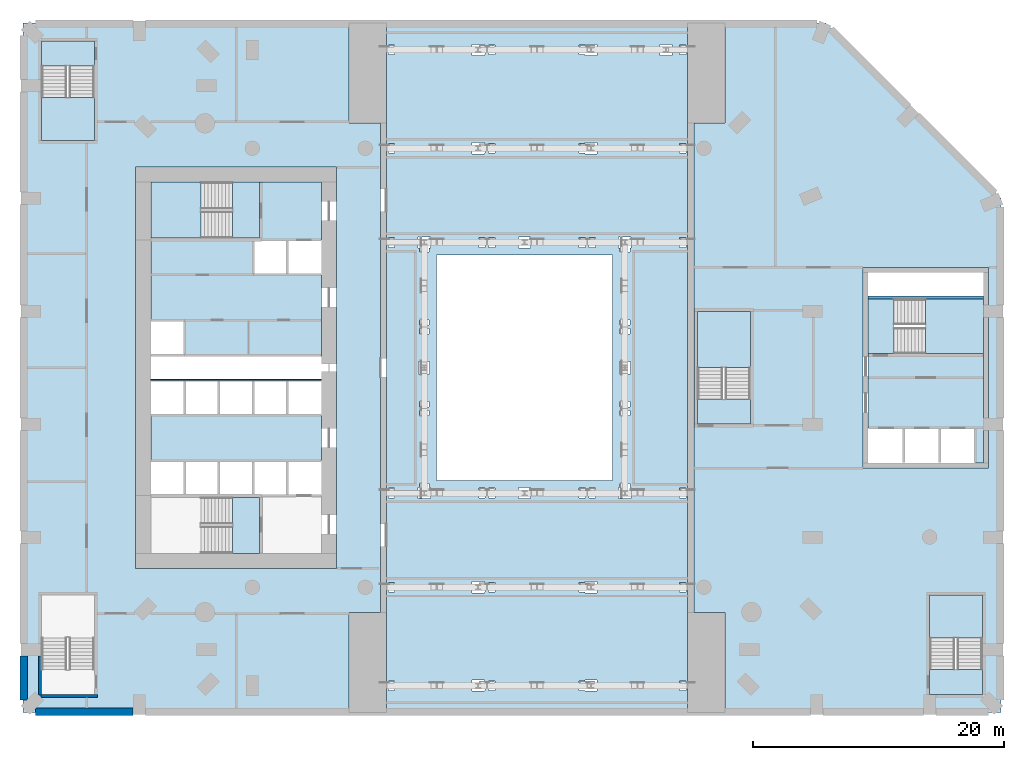
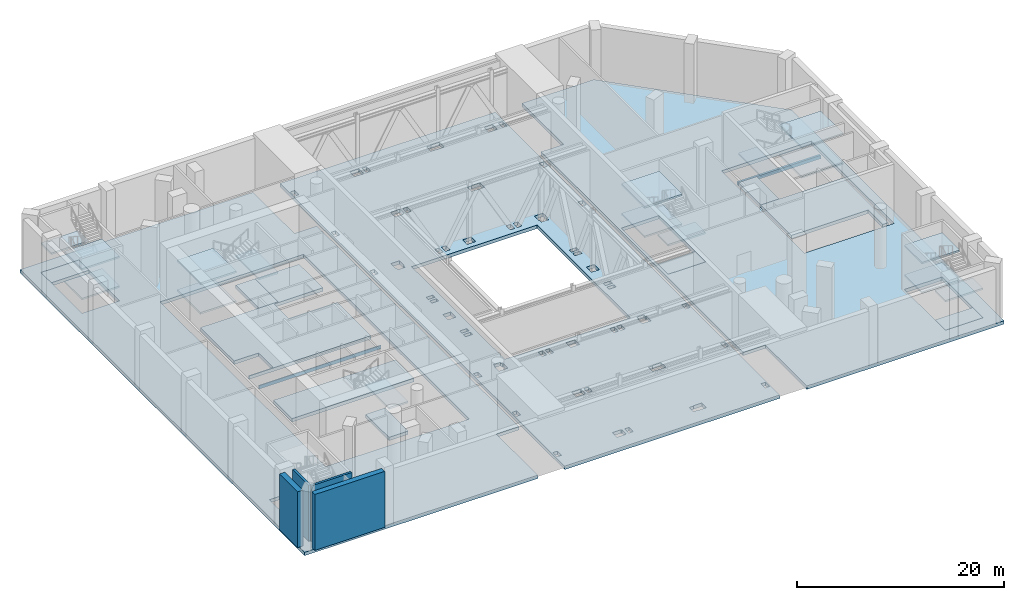
# One storey, part 3 of 21: 30 slabs, 4 walls, 6 elements without a shape of their own.
"""IFC4 building model written with IfcOpenShell, lengths in metres."""

from ifc_helpers import new_model, si_unit, direction, frame, frame_2d, origin, place, context, subcontext, project, spatial, polyline, rectangle, outline, extrude, material, layer, layer_set, type_object, element, aggregate, save


model = new_model("IFC4")

# Units and contexts
model_context = context("Model", 3, precision=1e-05, world=origin(), true_north=direction((0.0, 1.0)))
body_context = subcontext(model_context, "Body", "Model", "MODEL_VIEW")
ifc_project = project(units=[si_unit("LENGTHUNIT", "METRE"), si_unit("AREAUNIT", "SQUARE_METRE"), si_unit("VOLUMEUNIT", "CUBIC_METRE"), si_unit("PLANEANGLEUNIT", "RADIAN"), si_unit("MASSUNIT", "GRAM", prefix="KILO")], contexts=[model_context])

# Site, building, storey
site_placement = place(None, origin())
site = spatial("IfcSite", under=ifc_project, at=site_placement, CompositionType="ELEMENT")
building_placement = place(site_placement, origin())
building = spatial("IfcBuilding", under=site, at=building_placement, Name="Cypress Arch Tower", CompositionType="ELEMENT")
storey_placement = place(building_placement, frame((0.0, 0.0, 29.0)))
storey = spatial("IfcBuildingStorey", under=building, at=storey_placement, Name="L03", CompositionType="ELEMENT", Elevation=29.0)

# Slabs
ifc_material_1 = material(Name="Concrete C40/50", Category="concrete")
ifc_layer_1 = layer(ifc_material_1, 0.39990234375)
ifc_layer_set_1 = layer_set([ifc_layer_1], Name="Core floor CF400")
slab_type_1 = type_object("IfcSlabType", Name="Core floor CF400", PredefinedType="FLOOR", material=ifc_layer_set_1)
slab_1_placement = place(storey_placement, frame((0.0, 0.0, -0.39990234375)))
element("IfcSlab", 1, at=slab_1_placement, inside=storey, type_object=slab_type_1, Name="Stair floor landing", PredefinedType="FLOOR", context=body_context, shape_type="SweptSolid", body=[
    extrude(outline(polyline([(19.0, -4.5), (19.0, -2.5), (14.800048828125, -2.5), (14.800048828125, -4.5), (19.0, -4.5)])), origin(), (0.0, 0.0, 1.0), 0.39990234375),
])
slab_2_placement = place(storey_placement, frame((0.0, 0.0, -0.39990234375)))
element("IfcSlab", 2, at=slab_2_placement, inside=storey, type_object=slab_type_1, Name="Stair floor landing", PredefinedType="FLOOR", context=body_context, shape_type="SweptSolid", body=[
    extrude(outline(polyline([(-37.5, 26.050048828125), (-37.5, 24.050048828125), (-33.300048828125, 24.050048828125), (-33.300048828125, 26.050048828125), (-37.5, 26.050048828125)])), origin(), (0.0, 0.0, 1.0), 0.39990234375),
])
slab_3_placement = place(storey_placement, frame((0.0, 0.0, -0.39990234375)))
element("IfcSlab", 3, at=slab_3_placement, inside=storey, type_object=slab_type_1, Name="Stair floor landing", PredefinedType="FLOOR", context=body_context, shape_type="SweptSolid", body=[
    extrude(outline(polyline([(37.5, -26.050048828125), (37.5, -24.050048828125), (33.300048828125, -24.050048828125), (33.300048828125, -26.050048828125), (37.5, -26.050048828125)])), origin(), (0.0, 0.0, 1.0), 0.39990234375),
])
ifc_material_2 = material(Name="Concrete C40/50", Category="concrete")
ifc_layer_2 = layer(ifc_material_2, 0.402099609375)
ifc_layer_set_2 = layer_set([ifc_layer_2], Name="Core floor CF402")
slab_type_2 = type_object("IfcSlabType", Name="Core floor CF402", PredefinedType="FLOOR", material=ifc_layer_set_2)
slab_4_placement = place(storey_placement, frame((0.0, 0.0, -0.402099609375)))
element("IfcSlab", 4, at=slab_4_placement, inside=storey, type_object=slab_type_2, Name="Core floor", PredefinedType="FLOOR", context=body_context, shape_type="SweptSolid", body=[
    extrude(outline(polyline([(-28.800048828125, -3.800048828125), (-28.800048828125, -7.39990234375), (-26.080078125, -7.39990234375), (-23.360107421875, -7.39990234375), (-20.639892578125, -7.39990234375), (-17.919921875, -7.39990234375), (-15.199951171875, -7.39990234375), (-15.199951171875, -3.800048828125), (-17.919921875, -3.800048828125), (-20.639892578125, -3.800048828125), (-23.360107421875, -3.800048828125), (-26.080078125, -3.800048828125), (-28.800048828125, -3.800048828125)])), origin(), (0.0, 0.0, 1.0), 0.402099609375),
])
slab_5_placement = place(storey_placement, frame((0.0, 0.0, -0.402099609375)))
element("IfcSlab", 5, at=slab_5_placement, inside=storey, type_object=slab_type_2, Name="Core floor", PredefinedType="FLOOR", context=body_context, shape_type="SweptSolid", body=[
    extrude(outline(polyline([(-28.800048828125, 3.800048828125), (-28.800048828125, 10.199951171875), (-28.800048828125, 10.324951171875), (-28.39990234375, 10.324951171875), (-22.27490234375, 10.324951171875), (-20.125, 10.324951171875), (-20.125, 14.800048828125), (-15.60009765625, 14.800048828125), (-15.199951171875, 14.800048828125), (-15.199951171875, 10.199951171875), (-15.60009765625, 10.199951171875), (-17.919921875, 10.199951171875), (-20.639892578125, 10.199951171875), (-20.639892578125, 7.39990234375), (-17.919921875, 7.39990234375), (-15.60009765625, 7.39990234375), (-15.199951171875, 7.39990234375), (-15.199951171875, 0.89990234375), (-15.60009765625, 0.89990234375), (-28.39990234375, 0.89990234375), (-28.800048828125, 0.89990234375), (-28.800048828125, 1.0), (-28.39990234375, 1.0), (-26.080078125, 1.0), (-26.080078125, 3.800048828125), (-28.39990234375, 3.800048828125), (-28.800048828125, 3.800048828125)])), origin(), (0.0, 0.0, 1.0), 0.402099609375),
])
slab_6_placement = place(storey_placement, frame((0.0, 0.0, -0.402099609375)))
element("IfcSlab", 6, at=slab_6_placement, inside=storey, type_object=slab_type_2, Name="Core floor", PredefinedType="FLOOR", context=body_context, shape_type="SweptSolid", body=[
    extrude(outline(polyline([(-22.27490234375, -10.324951171875), (-22.27490234375, -14.800048828125), (-20.125, -14.800048828125), (-20.125, -10.324951171875), (-22.27490234375, -10.324951171875)])), origin(), (0.0, 0.0, 1.0), 0.402099609375),
])
slab_7_placement = place(storey_placement, frame((0.0, 0.0, -0.402099609375)))
element("IfcSlab", 7, at=slab_7_placement, inside=storey, type_object=slab_type_2, Name="Core floor", PredefinedType="FLOOR", context=body_context, shape_type="SweptSolid", body=[
    extrude(outline(polyline([(-20.125, 14.800048828125), (-22.27490234375, 14.800048828125), (-22.27490234375, 10.324951171875), (-20.125, 10.324951171875), (-20.125, 14.800048828125)])), origin(), (0.0, 0.0, 1.0), 0.402099609375),
])
slab_8_placement = place(storey_placement, frame((0.0, 0.0, -0.402099609375)))
element("IfcSlab", 8, at=slab_8_placement, inside=storey, type_object=slab_type_2, Name="East core floor", PredefinedType="FLOOR", context=body_context, shape_type="SweptSolid", body=[
    extrude(outline(polyline([(37.60009765625, -7.60009765625), (37.60009765625, 1.125), (30.449951171875, 1.125), (28.39990234375, 1.125), (28.39990234375, -4.800048828125), (31.25, -4.800048828125), (34.10009765625, -4.800048828125), (36.949951171875, -4.800048828125), (36.949951171875, -7.60009765625), (37.60009765625, -7.60009765625)])), origin(), (0.0, 0.0, 1.0), 0.402099609375),
])
slab_9_placement = place(storey_placement, frame((0.0, 0.0, -0.402099609375)))
element("IfcSlab", 9, at=slab_9_placement, inside=storey, type_object=slab_type_2, Name="East core floor", PredefinedType="FLOOR", context=body_context, shape_type="SweptSolid", body=[
    extrude(outline(polyline([(30.449951171875, 5.47509765625), (28.800048828125, 5.47509765625), (28.39990234375, 5.47509765625), (28.39990234375, 5.72509765625), (28.800048828125, 5.72509765625), (37.199951171875, 5.72509765625), (37.60009765625, 5.72509765625), (37.60009765625, 5.47509765625), (37.199951171875, 5.47509765625), (30.449951171875, 5.47509765625)])), origin(), (0.0, 0.0, 1.0), 0.402099609375),
])
slab_10_placement = place(storey_placement, frame((0.0, 0.0, -0.402099609375)))
element("IfcSlab", 10, at=slab_10_placement, inside=storey, type_object=slab_type_2, Name="East core floor", PredefinedType="FLOOR", context=body_context, shape_type="SweptSolid", body=[
    extrude(outline(polyline([(30.449951171875, 5.47509765625), (28.39990234375, 5.47509765625), (28.39990234375, 1.125), (30.449951171875, 1.125), (30.449951171875, 5.47509765625)])), origin(), (0.0, 0.0, 1.0), 0.402099609375),
])
slab_11_placement = place(storey_placement, frame((0.0, 0.0, -0.402099609375)))
element("IfcSlab", 11, at=slab_11_placement, inside=storey, type_object=slab_type_2, Name="Core floor", PredefinedType="FLOOR", context=body_context, shape_type="SweptSolid", body=[
    extrude(outline(polyline([(-20.639892578125, -1.0), (-23.360107421875, -1.0), (-26.080078125, -1.0), (-28.39990234375, -1.0), (-28.800048828125, -1.0), (-28.800048828125, -0.89990234375), (-28.39990234375, -0.89990234375), (-15.60009765625, -0.89990234375), (-15.199951171875, -0.89990234375), (-15.199951171875, -1.0), (-15.60009765625, -1.0), (-17.919921875, -1.0), (-20.639892578125, -1.0)])), origin(), (0.0, 0.0, 1.0), 0.402099609375),
])
ifc_material_3 = material(Name="Concrete C40/50", Category="concrete")
ifc_layer_3 = layer(ifc_material_3, 0.39990234375)
ifc_layer_set_3 = layer_set([ifc_layer_3], Name="Podium flat slab 400 Concrete C40/50")
slab_type_3 = type_object("IfcSlabType", Name="Podium flat slab 400 Concrete C40/50", PredefinedType="FLOOR", material=ifc_layer_set_3)
slab_12_placement = place(storey_placement, frame((0.0, 0.0, -0.39990234375)))
element("IfcSlab", 12, at=slab_12_placement, inside=storey, type_object=slab_type_3, Name="Floor slab L03", PredefinedType="FLOOR", context=body_context, shape_type="SweptSolid", body=[
    extrude(outline(polyline([(-39.0, 27.5), (-13.0, 27.5), (-13.0, 19.5), (-10.5, 19.5), (-10.5, -19.5), (-13.0, -19.5), (-13.0, -27.5), (-39.0, -27.5), (-39.0, 27.5)]), holes=[polyline([(-37.5, -18.1298828125), (-37.5, -26.050048828125), (-33.300048828125, -26.050048828125), (-33.300048828125, -18.1298828125), (-37.5, -18.1298828125)]), polyline([(-30.0, 16.0), (-30.0, -16.0), (-14.0, -16.0), (-14.0, 16.0), (-30.0, 16.0)]), polyline([(-33.300048828125, 18.1298828125), (-33.300048828125, 26.050048828125), (-37.5, 26.050048828125), (-37.5, 18.1298828125), (-33.300048828125, 18.1298828125)])]), origin(), (0.0, 0.0, 1.0), 0.39990234375),
])
slab_13_placement = place(storey_placement, frame((0.0, 0.0, -0.39990234375)))
element("IfcSlab", 13, at=slab_13_placement, inside=storey, type_object=slab_type_3, Name="Floor slab L03", PredefinedType="FLOOR", context=body_context, shape_type="SweptSolid", body=[
    extrude(outline(polyline([(-10.0, -19.5), (-10.0, 19.5), (-10.0, 27.5), (14.0, 27.5), (14.0, 19.5), (14.0, -19.5), (14.0, -27.5), (-10.0, -27.5), (-10.0, -19.5)]), holes=[polyline([(-6.0, 9.0), (-6.0, -9.0), (8.0, -9.0), (8.0, 9.0), (-6.0, 9.0)]), polyline([(13.359130859375, 24.9560546875), (13.860107421875, 24.9560546875), (13.860107421875, 25.743896484375), (13.359130859375, 25.743896484375), (13.359130859375, 24.9560546875)]), polyline([(13.860107421875, 17.10595703125), (13.860107421875, 17.89404296875), (13.359130859375, 17.89404296875), (13.359130859375, 17.10595703125), (13.860107421875, 17.10595703125)]), polyline([(13.860107421875, 9.60595703125), (13.860107421875, 10.39404296875), (13.359130859375, 10.39404296875), (13.359130859375, 9.60595703125), (13.860107421875, 9.60595703125)]), polyline([(13.860107421875, -10.39404296875), (13.860107421875, -9.60595703125), (13.359130859375, -9.60595703125), (13.359130859375, -10.39404296875), (13.860107421875, -10.39404296875)]), polyline([(13.860107421875, -17.89404296875), (13.860107421875, -17.10595703125), (13.359130859375, -17.10595703125), (13.359130859375, -17.89404296875), (13.860107421875, -17.89404296875)]), polyline([(13.860107421875, -25.743896484375), (13.860107421875, -24.9560546875), (13.359130859375, -24.9560546875), (13.359130859375, -25.743896484375), (13.860107421875, -25.743896484375)]), polyline([(12.766845703125, 24.909912109375), (12.766845703125, 25.7900390625), (11.78662109375, 25.7900390625), (11.78662109375, 24.909912109375), (12.766845703125, 24.909912109375)]), polyline([(8.510009765625, 10.43994140625), (8.510009765625, 9.56005859375), (8.60595703125, 9.56005859375), (8.60595703125, 9.241943359375), (9.39404296875, 9.241943359375), (9.39404296875, 9.56005859375), (9.489990234375, 9.56005859375), (9.489990234375, 10.43994140625), (8.510009765625, 10.43994140625)]), polyline([(8.60595703125, -9.241943359375), (8.60595703125, -9.56005859375), (8.510009765625, -9.56005859375), (8.510009765625, -10.43994140625), (9.489990234375, -10.43994140625), (9.489990234375, -9.56005859375), (9.39404296875, -9.56005859375), (9.39404296875, -9.241943359375), (8.60595703125, -9.241943359375)]), polyline([(9.43994140625, 0.489990234375), (8.56005859375, 0.489990234375), (8.56005859375, -0.489990234375), (9.43994140625, -0.489990234375), (9.43994140625, 0.489990234375)]), polyline([(9.39404296875, -2.7099609375), (8.60595703125, -2.7099609375), (8.60595703125, -3.1259765625), (9.39404296875, -3.1259765625), (9.39404296875, -2.7099609375)]), polyline([(9.39404296875, -3.406005859375), (8.60595703125, -3.406005859375), (8.60595703125, -3.822021484375), (9.39404296875, -3.822021484375), (9.39404296875, -3.406005859375)]), polyline([(9.39404296875, 3.1259765625), (8.60595703125, 3.1259765625), (8.60595703125, 2.7099609375), (9.39404296875, 2.7099609375), (9.39404296875, 3.1259765625)]), polyline([(9.39404296875, 3.822021484375), (8.60595703125, 3.822021484375), (8.60595703125, 3.406005859375), (9.39404296875, 3.406005859375), (9.39404296875, 3.822021484375)]), polyline([(5.81005859375, 24.9560546875), (5.81005859375, 24.909912109375), (6.7900390625, 24.909912109375), (6.7900390625, 25.7900390625), (5.81005859375, 25.7900390625), (5.81005859375, 25.743896484375), (5.359130859375, 25.743896484375), (5.359130859375, 24.9560546875), (5.81005859375, 24.9560546875)]), polyline([(5.81005859375, 17.10595703125), (5.81005859375, 17.06005859375), (6.7900390625, 17.06005859375), (6.7900390625, 17.93994140625), (5.81005859375, 17.93994140625), (5.81005859375, 17.89404296875), (5.359130859375, 17.89404296875), (5.359130859375, 17.10595703125), (5.81005859375, 17.10595703125)]), polyline([(5.81005859375, -17.89404296875), (5.81005859375, -17.93994140625), (6.7900390625, -17.93994140625), (6.7900390625, -17.06005859375), (5.81005859375, -17.06005859375), (5.81005859375, -17.10595703125), (5.359130859375, -17.10595703125), (5.359130859375, -17.89404296875), (5.81005859375, -17.89404296875)]), polyline([(5.81005859375, -25.743896484375), (5.81005859375, -25.7900390625), (6.7900390625, -25.7900390625), (6.7900390625, -24.909912109375), (5.81005859375, -24.909912109375), (5.81005859375, -24.9560546875), (5.359130859375, -24.9560546875), (5.359130859375, -25.743896484375), (5.81005859375, -25.743896484375)]), polyline([(6.640869140625, 9.60595703125), (6.640869140625, 10.39404296875), (6.139892578125, 10.39404296875), (6.139892578125, 9.60595703125), (6.640869140625, 9.60595703125)]), polyline([(6.640869140625, -10.39404296875), (6.640869140625, -9.60595703125), (6.139892578125, -9.60595703125), (6.139892578125, -10.39404296875), (6.640869140625, -10.39404296875)]), polyline([(5.860107421875, 9.60595703125), (5.860107421875, 10.39404296875), (5.359130859375, 10.39404296875), (5.359130859375, 9.60595703125), (5.860107421875, 9.60595703125)]), polyline([(5.860107421875, -10.39404296875), (5.860107421875, -9.60595703125), (5.359130859375, -9.60595703125), (5.359130859375, -10.39404296875), (5.860107421875, -10.39404296875)]), polyline([(1.489990234375, 9.56005859375), (1.489990234375, 10.43994140625), (0.510009765625, 10.43994140625), (0.510009765625, 9.56005859375), (1.489990234375, 9.56005859375)]), polyline([(1.489990234375, -10.43994140625), (1.489990234375, -9.56005859375), (0.510009765625, -9.56005859375), (0.510009765625, -10.43994140625), (1.489990234375, -10.43994140625)]), polyline([(-1.359130859375, 24.9560546875), (-1.359130859375, 25.743896484375), (-1.860107421875, 25.743896484375), (-1.860107421875, 24.9560546875), (-1.359130859375, 24.9560546875)]), polyline([(-1.359130859375, 17.10595703125), (-1.359130859375, 17.89404296875), (-1.860107421875, 17.89404296875), (-1.860107421875, 17.10595703125), (-1.359130859375, 17.10595703125)]), polyline([(-1.359130859375, 9.60595703125), (-1.359130859375, 10.39404296875), (-1.860107421875, 10.39404296875), (-1.860107421875, 9.60595703125), (-1.359130859375, 9.60595703125)]), polyline([(-1.359130859375, -10.39404296875), (-1.359130859375, -9.60595703125), (-1.860107421875, -9.60595703125), (-1.860107421875, -10.39404296875), (-1.359130859375, -10.39404296875)]), polyline([(-1.359130859375, -17.89404296875), (-1.359130859375, -17.10595703125), (-1.860107421875, -17.10595703125), (-1.860107421875, -17.89404296875), (-1.359130859375, -17.89404296875)]), polyline([(-1.359130859375, -25.743896484375), (-1.359130859375, -24.9560546875), (-1.860107421875, -24.9560546875), (-1.860107421875, -25.743896484375), (-1.359130859375, -25.743896484375)]), polyline([(-2.2099609375, -17.10595703125), (-2.2099609375, -17.06005859375), (-3.18994140625, -17.06005859375), (-3.18994140625, -17.93994140625), (-2.2099609375, -17.93994140625), (-2.2099609375, -17.89404296875), (-2.139892578125, -17.89404296875), (-2.139892578125, -17.10595703125), (-2.2099609375, -17.10595703125)]), polyline([(-2.2099609375, -24.9560546875), (-2.2099609375, -24.909912109375), (-3.18994140625, -24.909912109375), (-3.18994140625, -25.7900390625), (-2.2099609375, -25.7900390625), (-2.2099609375, -25.743896484375), (-2.139892578125, -25.743896484375), (-2.139892578125, -24.9560546875), (-2.2099609375, -24.9560546875)]), polyline([(-2.139892578125, 9.60595703125), (-2.139892578125, 10.39404296875), (-2.640869140625, 10.39404296875), (-2.640869140625, 9.60595703125), (-2.139892578125, 9.60595703125)]), polyline([(-2.139892578125, -10.39404296875), (-2.139892578125, -9.60595703125), (-2.640869140625, -9.60595703125), (-2.640869140625, -10.39404296875), (-2.139892578125, -10.39404296875)]), polyline([(-2.2099609375, 24.909912109375), (-2.2099609375, 24.9560546875), (-2.139892578125, 24.9560546875), (-2.139892578125, 25.743896484375), (-2.2099609375, 25.743896484375), (-2.2099609375, 25.7900390625), (-3.18994140625, 25.7900390625), (-3.18994140625, 24.909912109375), (-2.2099609375, 24.909912109375)]), polyline([(-2.2099609375, 17.06005859375), (-2.2099609375, 17.10595703125), (-2.139892578125, 17.10595703125), (-2.139892578125, 17.89404296875), (-2.2099609375, 17.89404296875), (-2.2099609375, 17.93994140625), (-3.18994140625, 17.93994140625), (-3.18994140625, 17.06005859375), (-2.2099609375, 17.06005859375)]), polyline([(-7.489990234375, 9.56005859375), (-7.39404296875, 9.56005859375), (-7.39404296875, 9.241943359375), (-6.60595703125, 9.241943359375), (-6.60595703125, 9.56005859375), (-6.510009765625, 9.56005859375), (-6.510009765625, 10.43994140625), (-7.489990234375, 10.43994140625), (-7.489990234375, 9.56005859375)]), polyline([(-7.39404296875, -9.241943359375), (-7.39404296875, -9.56005859375), (-7.489990234375, -9.56005859375), (-7.489990234375, -10.43994140625), (-6.510009765625, -10.43994140625), (-6.510009765625, -9.56005859375), (-6.60595703125, -9.56005859375), (-6.60595703125, -9.241943359375), (-7.39404296875, -9.241943359375)]), polyline([(-6.56005859375, 0.489990234375), (-7.43994140625, 0.489990234375), (-7.43994140625, -0.489990234375), (-6.56005859375, -0.489990234375), (-6.56005859375, 0.489990234375)]), polyline([(-6.60595703125, 3.1259765625), (-7.39404296875, 3.1259765625), (-7.39404296875, 2.7099609375), (-6.60595703125, 2.7099609375), (-6.60595703125, 3.1259765625)]), polyline([(-6.60595703125, -2.7099609375), (-7.39404296875, -2.7099609375), (-7.39404296875, -3.1259765625), (-6.60595703125, -3.1259765625), (-6.60595703125, -2.7099609375)]), polyline([(-6.60595703125, -3.406005859375), (-7.39404296875, -3.406005859375), (-7.39404296875, -3.822021484375), (-6.60595703125, -3.822021484375), (-6.60595703125, -3.406005859375)]), polyline([(-6.60595703125, 3.822021484375), (-7.39404296875, 3.822021484375), (-7.39404296875, 3.406005859375), (-6.60595703125, 3.406005859375), (-6.60595703125, 3.822021484375)]), polyline([(-9.359130859375, -25.743896484375), (-9.359130859375, -24.9560546875), (-9.860107421875, -24.9560546875), (-9.860107421875, -25.743896484375), (-9.359130859375, -25.743896484375)]), polyline([(-9.359130859375, 24.9560546875), (-9.359130859375, 25.743896484375), (-9.860107421875, 25.743896484375), (-9.860107421875, 24.9560546875), (-9.359130859375, 24.9560546875)]), polyline([(-9.359130859375, 17.10595703125), (-9.359130859375, 17.89404296875), (-9.860107421875, 17.89404296875), (-9.860107421875, 17.10595703125), (-9.359130859375, 17.10595703125)]), polyline([(-9.359130859375, 9.60595703125), (-9.359130859375, 10.39404296875), (-9.860107421875, 10.39404296875), (-9.860107421875, 9.60595703125), (-9.359130859375, 9.60595703125)]), polyline([(-9.359130859375, -10.39404296875), (-9.359130859375, -9.60595703125), (-9.860107421875, -9.60595703125), (-9.860107421875, -10.39404296875), (-9.359130859375, -10.39404296875)]), polyline([(-9.359130859375, -17.89404296875), (-9.359130859375, -17.10595703125), (-9.860107421875, -17.10595703125), (-9.860107421875, -17.89404296875), (-9.359130859375, -17.89404296875)])]), origin(), (0.0, 0.0, 1.0), 0.39990234375),
])
slab_14_placement = place(storey_placement, frame((0.0, 0.0, -0.39990234375)))
element("IfcSlab", 14, at=slab_14_placement, inside=storey, type_object=slab_type_3, Name="Floor slab L03", PredefinedType="FLOOR", context=body_context, shape_type="SweptSolid", body=[
    extrude(outline(polyline([(39.0, 13.5), (39.0, -27.5), (17.0, -27.5), (17.0, -19.5), (14.5, -19.5), (14.5, 19.5), (17.0, 19.5), (17.0, 27.5), (25.0, 27.5), (39.0, 13.5)]), holes=[polyline([(33.300048828125, -18.1298828125), (33.300048828125, -26.050048828125), (37.5, -26.050048828125), (37.5, -18.1298828125), (33.300048828125, -18.1298828125)]), polyline([(14.800048828125, 4.5), (14.800048828125, -4.5), (19.0, -4.5), (19.0, 4.5), (14.800048828125, 4.5)]), polyline([(28.0, 8.0), (28.0, -8.0), (38.0, -8.0), (38.0, 8.0), (28.0, 8.0)])]), origin(), (0.0, 0.0, 1.0), 0.39990234375),
])

# Stair, slab
ifc_material_4 = material(Name="Concrete C40/50", Category="concrete")
stair_type_1 = type_object("IfcStairType", Name="Exit stair ES1750-215", PredefinedType="HALF_TURN_STAIR", material=ifc_material_4)
stair_1_placement = place(storey_placement, origin())
stair_1 = element("IfcStair", 15, at=stair_1_placement, inside=storey, type_object=stair_type_1, Name="L03 Exit stair A", PredefinedType="HALF_TURN_STAIR")
ifc_material_5 = material(Name="Concrete C40/50", Category="concrete")
ifc_layer_4 = layer(ifc_material_5, 0.199951171875)
ifc_layer_set_4 = layer_set([ifc_layer_4], Name="Stair landing SL200")
slab_type_4 = type_object("IfcSlabType", Name="Stair landing SL200", PredefinedType="LANDING", material=ifc_layer_set_4)
slab_15_placement = place(storey_placement, frame((0.0, 0.0, 3.300048828125)))
slab_15 = element("IfcSlab", 16, at=slab_15_placement, type_object=slab_type_4, Name="A landing 2", PredefinedType="LANDING", context=body_context, shape_type="SweptSolid", body=[
    extrude(outline(polyline([(-20.125, -10.324951171875), (-22.27490234375, -10.324951171875), (-22.27490234375, -14.800048828125), (-20.125, -14.800048828125), (-20.125, -10.324951171875)])), origin(), (0.0, 0.0, 1.0), 0.199951171875),
])
aggregate(stair_1, [slab_15])

# Stair, slabs
stair_2_placement = place(storey_placement, origin())
stair_2 = element("IfcStair", 17, at=stair_2_placement, inside=storey, type_object=stair_type_1, Name="L03 Exit stair B", PredefinedType="HALF_TURN_STAIR")
slab_16_placement = place(storey_placement, frame((0.0, 0.0, 1.550048828125)))
slab_16 = element("IfcSlab", 18, at=slab_16_placement, type_object=slab_type_4, Name="B landing 1", PredefinedType="LANDING", context=body_context, shape_type="SweptSolid", body=[
    extrude(outline(polyline([(-24.794921875, 14.800048828125), (-28.800048828125, 14.800048828125), (-28.800048828125, 10.324951171875), (-24.794921875, 10.324951171875), (-24.794921875, 14.800048828125)])), origin(), (0.0, 0.0, 1.0), 0.199951171875),
])
slab_17_placement = place(storey_placement, frame((0.0, 0.0, 3.300048828125)))
slab_17 = element("IfcSlab", 19, at=slab_17_placement, type_object=slab_type_4, Name="B landing 2", PredefinedType="LANDING", context=body_context, shape_type="SweptSolid", body=[
    extrude(outline(polyline([(-20.125, 14.800048828125), (-22.27490234375, 14.800048828125), (-22.27490234375, 10.324951171875), (-20.125, 10.324951171875), (-20.125, 14.800048828125)])), origin(), (0.0, 0.0, 1.0), 0.199951171875),
])
slab_18_placement = place(storey_placement, frame((0.0, 0.0, 5.050048828125)))
slab_18 = element("IfcSlab", 20, at=slab_18_placement, type_object=slab_type_4, Name="B landing 3", PredefinedType="LANDING", context=body_context, shape_type="SweptSolid", body=[
    extrude(outline(polyline([(-24.794921875, 14.800048828125), (-28.800048828125, 14.800048828125), (-28.800048828125, 10.324951171875), (-24.794921875, 10.324951171875), (-24.794921875, 14.800048828125)])), origin(), (0.0, 0.0, 1.0), 0.199951171875),
])
aggregate(stair_2, [slab_16, slab_17, slab_18])

ifc_material_6 = material(Name="Concrete C40/50", Category="concrete")
stair_type_2 = type_object("IfcStairType", Name="Exit stair ES1750-200", PredefinedType="HALF_TURN_STAIR", material=ifc_material_6)
stair_3_placement = place(storey_placement, origin())
stair_3 = element("IfcStair", 21, at=stair_3_placement, inside=storey, type_object=stair_type_2, Name="L03 Exit stair C", PredefinedType="HALF_TURN_STAIR")
slab_19_placement = place(storey_placement, frame((0.0, 0.0, 1.550048828125)))
slab_19 = element("IfcSlab", 22, at=slab_19_placement, type_object=slab_type_4, Name="C landing 1", PredefinedType="LANDING", context=body_context, shape_type="SweptSolid", body=[
    extrude(outline(polyline([(19.0, 0.02001953125), (19.0, 4.5), (14.800048828125, 4.5), (14.800048828125, 0.02001953125), (19.0, 0.02001953125)])), origin(), (0.0, 0.0, 1.0), 0.199951171875),
])
slab_20_placement = place(storey_placement, frame((0.0, 0.0, 3.300048828125)))
slab_20 = element("IfcSlab", 23, at=slab_20_placement, type_object=slab_type_4, Name="C landing 2", PredefinedType="LANDING", context=body_context, shape_type="SweptSolid", body=[
    extrude(outline(polyline([(19.0, -4.5), (19.0, -2.5), (14.800048828125, -2.5), (14.800048828125, -4.5), (19.0, -4.5)])), origin(), (0.0, 0.0, 1.0), 0.199951171875),
])
slab_21_placement = place(storey_placement, frame((0.0, 0.0, 5.050048828125)))
slab_21 = element("IfcSlab", 24, at=slab_21_placement, type_object=slab_type_4, Name="C landing 3", PredefinedType="LANDING", context=body_context, shape_type="SweptSolid", body=[
    extrude(outline(polyline([(19.0, 0.02001953125), (19.0, 4.5), (14.800048828125, 4.5), (14.800048828125, 0.02001953125), (19.0, 0.02001953125)])), origin(), (0.0, 0.0, 1.0), 0.199951171875),
])
aggregate(stair_3, [slab_19, slab_20, slab_21])

stair_4_placement = place(storey_placement, origin())
stair_4 = element("IfcStair", 25, at=stair_4_placement, inside=storey, type_object=stair_type_2, Name="L03 Exit stair P2", PredefinedType="HALF_TURN_STAIR")
slab_22_placement = place(storey_placement, frame((0.0, 0.0, 1.550048828125)))
slab_22 = element("IfcSlab", 26, at=slab_22_placement, type_object=slab_type_4, Name="P2 landing 1", PredefinedType="LANDING", context=body_context, shape_type="SweptSolid", body=[
    extrude(outline(polyline([(-37.5, 21.530029296875), (-37.5, 18.1298828125), (-33.300048828125, 18.1298828125), (-33.300048828125, 21.530029296875), (-37.5, 21.530029296875)])), origin(), (0.0, 0.0, 1.0), 0.199951171875),
])
slab_23_placement = place(storey_placement, frame((0.0, 0.0, 3.300048828125)))
slab_23 = element("IfcSlab", 27, at=slab_23_placement, type_object=slab_type_4, Name="P2 landing 2", PredefinedType="LANDING", context=body_context, shape_type="SweptSolid", body=[
    extrude(outline(polyline([(-37.5, 26.050048828125), (-37.5, 24.050048828125), (-33.300048828125, 24.050048828125), (-33.300048828125, 26.050048828125), (-37.5, 26.050048828125)])), origin(), (0.0, 0.0, 1.0), 0.199951171875),
])
slab_24_placement = place(storey_placement, frame((0.0, 0.0, 5.050048828125)))
slab_24 = element("IfcSlab", 28, at=slab_24_placement, type_object=slab_type_4, Name="P2 landing 3", PredefinedType="LANDING", context=body_context, shape_type="SweptSolid", body=[
    extrude(outline(polyline([(-37.5, 21.530029296875), (-37.5, 18.1298828125), (-33.300048828125, 18.1298828125), (-33.300048828125, 21.530029296875), (-37.5, 21.530029296875)])), origin(), (0.0, 0.0, 1.0), 0.199951171875),
])
aggregate(stair_4, [slab_22, slab_23, slab_24])

ifc_material_7 = material(Name="Concrete C40/50", Category="concrete")
stair_type_3 = type_object("IfcStairType", Name="Exit stair ES1750-205", PredefinedType="HALF_TURN_STAIR", material=ifc_material_7)
stair_5_placement = place(storey_placement, origin())
stair_5 = element("IfcStair", 29, at=stair_5_placement, inside=storey, type_object=stair_type_3, Name="L03 Exit stair P3", PredefinedType="HALF_TURN_STAIR")
slab_25_placement = place(storey_placement, frame((0.0, 0.0, 1.550048828125)))
slab_25 = element("IfcSlab", 30, at=slab_25_placement, type_object=slab_type_4, Name="P3 landing 1", PredefinedType="LANDING", context=body_context, shape_type="SweptSolid", body=[
    extrude(outline(polyline([(32.969970703125, 1.125), (37.60009765625, 1.125), (37.60009765625, 5.47509765625), (32.969970703125, 5.47509765625), (32.969970703125, 1.125)])), origin(), (0.0, 0.0, 1.0), 0.199951171875),
])
slab_26_placement = place(storey_placement, frame((0.0, 0.0, 3.300048828125)))
slab_26 = element("IfcSlab", 31, at=slab_26_placement, type_object=slab_type_4, Name="P3 landing 2", PredefinedType="LANDING", context=body_context, shape_type="SweptSolid", body=[
    extrude(outline(polyline([(28.39990234375, 1.125), (30.449951171875, 1.125), (30.449951171875, 5.47509765625), (28.39990234375, 5.47509765625), (28.39990234375, 1.125)])), origin(), (0.0, 0.0, 1.0), 0.199951171875),
])
slab_27_placement = place(storey_placement, frame((0.0, 0.0, 5.050048828125)))
slab_27 = element("IfcSlab", 32, at=slab_27_placement, type_object=slab_type_4, Name="P3 landing 3", PredefinedType="LANDING", context=body_context, shape_type="SweptSolid", body=[
    extrude(outline(polyline([(32.969970703125, 1.125), (37.60009765625, 1.125), (37.60009765625, 5.47509765625), (32.969970703125, 5.47509765625), (32.969970703125, 1.125)])), origin(), (0.0, 0.0, 1.0), 0.199951171875),
])
aggregate(stair_5, [slab_25, slab_26, slab_27])

stair_6_placement = place(storey_placement, origin())
stair_6 = element("IfcStair", 33, at=stair_6_placement, inside=storey, type_object=stair_type_2, Name="L03 Exit stair P4", PredefinedType="HALF_TURN_STAIR")
slab_28_placement = place(storey_placement, frame((0.0, 0.0, 1.550048828125)))
slab_28 = element("IfcSlab", 34, at=slab_28_placement, type_object=slab_type_4, Name="P4 landing 1", PredefinedType="LANDING", context=body_context, shape_type="SweptSolid", body=[
    extrude(outline(polyline([(37.5, -21.530029296875), (37.5, -18.1298828125), (33.300048828125, -18.1298828125), (33.300048828125, -21.530029296875), (37.5, -21.530029296875)])), origin(), (0.0, 0.0, 1.0), 0.199951171875),
])
slab_29_placement = place(storey_placement, frame((0.0, 0.0, 3.300048828125)))
slab_29 = element("IfcSlab", 35, at=slab_29_placement, type_object=slab_type_4, Name="P4 landing 2", PredefinedType="LANDING", context=body_context, shape_type="SweptSolid", body=[
    extrude(outline(polyline([(37.5, -26.050048828125), (37.5, -24.050048828125), (33.300048828125, -24.050048828125), (33.300048828125, -26.050048828125), (37.5, -26.050048828125)])), origin(), (0.0, 0.0, 1.0), 0.199951171875),
])
slab_30_placement = place(storey_placement, frame((0.0, 0.0, 5.050048828125)))
slab_30 = element("IfcSlab", 36, at=slab_30_placement, type_object=slab_type_4, Name="P4 landing 3", PredefinedType="LANDING", context=body_context, shape_type="SweptSolid", body=[
    extrude(outline(polyline([(37.5, -21.530029296875), (37.5, -18.1298828125), (33.300048828125, -18.1298828125), (33.300048828125, -21.530029296875), (37.5, -21.530029296875)])), origin(), (0.0, 0.0, 1.0), 0.199951171875),
])
aggregate(stair_6, [slab_28, slab_29, slab_30])

# Walls
ifc_material_8 = material(Name="Brick (red buff blend) on blockwork backing", Category="masonry")
ifc_layer_5 = layer(ifc_material_8, 0.60009765625)
ifc_layer_set_5 = layer_set([ifc_layer_5], Name="Brick base wall BW600")
wall_type_1 = type_object("IfcWallType", Name="Brick base wall BW600", PredefinedType="ELEMENTEDWALL", material=ifc_layer_set_5)
wall_1_placement = place(storey_placement, frame((-37.992919921875, -27.425048828125, 0.0), z_axis=(0.0, 0.0, 1.0), x_axis=(1.0, 0.0, 0.0)))
element("IfcWall", 37, at=wall_1_placement, inside=storey, type_object=wall_type_1, Name="Brick wall L03 P00.0", PredefinedType="ELEMENTEDWALL", context=body_context, shape_type="SweptSolid", body=[
    extrude(rectangle(XDim=7.79296875, YDim=0.60009765625, at=frame_2d((3.896484375, 0.0))), origin(), (0.0, 0.0, 1.0), 6.60009765625),
])
wall_2_placement = place(storey_placement, frame((-38.925048828125, -23.0, 0.0), z_axis=(0.0, 0.0, 1.0), x_axis=(0.0, -1.0, 0.0)))
element("IfcWall", 38, at=wall_2_placement, inside=storey, type_object=wall_type_1, Name="Brick wall L03 P04.6", PredefinedType="ELEMENTEDWALL", context=body_context, shape_type="SweptSolid", body=[
    extrude(rectangle(XDim=3.492919921875, YDim=0.60009765625, at=frame_2d((1.74658203125, 0.0))), origin(), (0.0, 0.0, 1.0), 6.60009765625),
])
ifc_material_9 = material(Name="Concrete C50/60", Category="concrete")
ifc_layer_6 = layer(ifc_material_9, 0.25)
ifc_layer_set_6 = layer_set([ifc_layer_6], Name="Stair enclosure wall SW250")
wall_type_2 = type_object("IfcWallType", Name="Stair enclosure wall SW250", PredefinedType="SHEAR", material=ifc_layer_set_6)
wall_3_placement = place(storey_placement, frame((-37.625, -26.09521484375, 0.0), z_axis=(0.0, 0.0, 1.0), x_axis=(0.0, 1.0, 0.0)))
element("IfcWall", 39, at=wall_3_placement, inside=storey, type_object=wall_type_2, Name="Stair enclosure wall", PredefinedType="SHEAR", context=body_context, shape_type="SweptSolid", body=[
    extrude(rectangle(XDim=3.09521484375, YDim=0.25, at=frame_2d((1.547607421875, 0.0))), origin(), (0.0, 0.0, 1.0), 6.60009765625),
])
wall_4_placement = place(storey_placement, frame((-37.545166015625, -26.175048828125, 0.0), z_axis=(0.0, 0.0, 1.0), x_axis=(1.0, 0.0, 0.0)))
element("IfcWall", 40, at=wall_4_placement, inside=storey, type_object=wall_type_2, Name="Stair enclosure wall", PredefinedType="SHEAR", context=body_context, shape_type="SweptSolid", body=[
    extrude(rectangle(XDim=4.4951171875, YDim=0.25, at=frame_2d((2.24755859375, 0.0))), origin(), (0.0, 0.0, 1.0), 6.60009765625),
])

save(model, "model.ifc")
